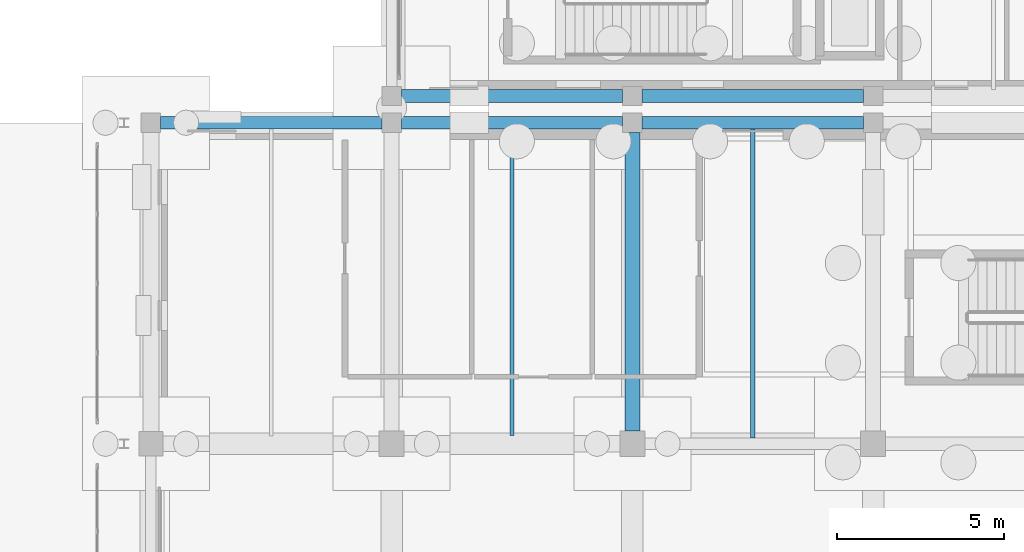
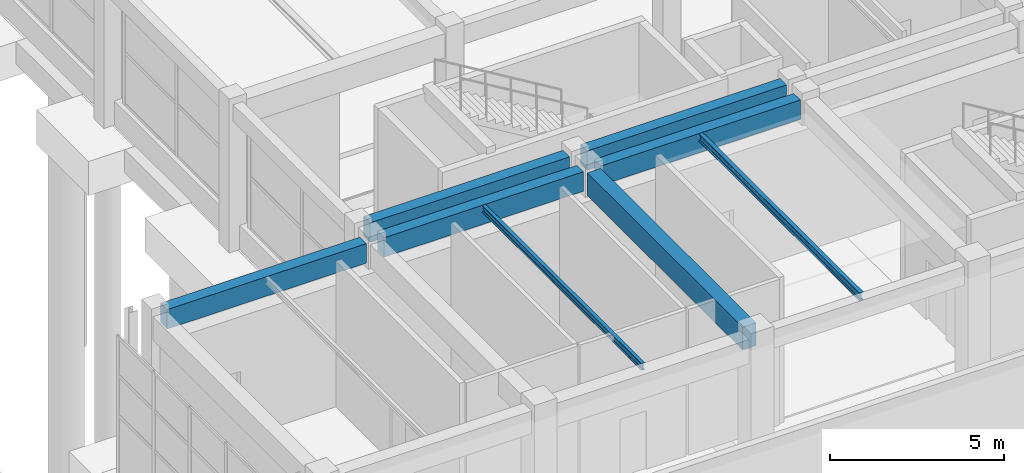
# One storey, part 47 of 91: 8 beams.
"""IFC4 building model written with IfcOpenShell, lengths in metres."""

from ifc_helpers import new_model, si_unit, direction, frame, origin, origin_2d, place, context, subcontext, project, spatial, rectangle, i_section, extrude, material, material_profile, profile_set, type_object, element, save


model = new_model("IFC4")

# Units and contexts
model_context = context("Model", 3, precision=1e-05, world=origin(), true_north=direction((0.0, 1.0)))
body_context = subcontext(model_context, "Body", "Model", "MODEL_VIEW")
ifc_project = project(units=[si_unit("LENGTHUNIT", "METRE"), si_unit("AREAUNIT", "SQUARE_METRE"), si_unit("VOLUMEUNIT", "CUBIC_METRE"), si_unit("PLANEANGLEUNIT", "RADIAN"), si_unit("MASSUNIT", "GRAM", prefix="KILO")], contexts=[model_context])

# Site, building, storey
site_placement = place(None, origin())
site = spatial("IfcSite", under=ifc_project, at=site_placement, CompositionType="ELEMENT")
building_placement = place(site_placement, origin())
building = spatial("IfcBuilding", under=site, at=building_placement, Name="Bramveld Media Centre", CompositionType="ELEMENT")
storey_placement = place(building_placement, origin())
storey = spatial("IfcBuildingStorey", under=building, at=storey_placement, Name="L00", CompositionType="ELEMENT", Elevation=0.0)

# Beams
ifc_material_1 = material(Name="Concrete C40/50", Category="concrete")
ifc_material_profile_1 = material_profile(ifc_material_1, rectangle(XDim=0.449951171875, YDim=0.800048828125, at=origin_2d()), Name="RC 450x800")
ifc_profile_set_1 = profile_set([ifc_material_profile_1], Name="Concrete C40/50")
beam_type_1 = type_object("IfcBeamType", Name="BM-INT-RC-450x800", PredefinedType="BEAM", material=ifc_profile_set_1)
beam_1_placement = place(storey_placement, frame((138.39990234375, 29.175048828125, 4.719970703125), z_axis=(0.0, 1.0, 0.0), x_axis=(-1.0, 0.0, 0.0)))
element("IfcBeam", 1, at=beam_1_placement, inside=storey, type_object=beam_type_1, Name="V1 L00 girder Y-23", PredefinedType="BEAM", context=body_context, shape_type="SweptSolid", body=[
    extrude(rectangle(XDim=0.449951171875, YDim=0.800048828125, at=origin_2d()), origin(), (0.0, 0.0, 1.0), 8.93505859375),
])
ifc_material_2 = material(Name="Steel S355J2", Category="steel")
ifc_material_profile_2 = material_profile(ifc_material_2, i_section(OverallWidth=0.1201171875, OverallDepth=0.239990234375, WebThickness=0.006103515625, FlangeThickness=0.009765625, FilletRadius=0.014892578125, at=origin_2d()), Name="IPE 240")
ifc_profile_set_2 = profile_set([ifc_material_profile_2], Name="Steel S355J2")
beam_type_2 = type_object("IfcBeamType", Name="SBM-INT-IPE-240", PredefinedType="JOIST", material=ifc_profile_set_2)
beam_2_placement = place(storey_placement, frame((134.800048828125, 29.050048828125, 5.0), z_axis=(0.0, 1.0, 0.0), x_axis=(-1.0, 0.0, 0.0)))
element("IfcBeam", 2, at=beam_2_placement, inside=storey, type_object=beam_type_2, Name="V1 L00 secondary floor joist 38", PredefinedType="JOIST", context=body_context, shape_type="SweptSolid", body=[
    extrude(i_section(OverallWidth=0.1201171875, OverallDepth=0.239990234375, WebThickness=0.006103515625, FlangeThickness=0.009765625, FilletRadius=0.014892578125, at=origin_2d()), origin(), (0.0, 0.0, 1.0), 9.159912109375),
])
ifc_material_3 = material(Name="Steel S355J2", Category="steel")
ifc_material_profile_3 = material_profile(ifc_material_3, i_section(OverallWidth=0.135009765625, OverallDepth=0.27001953125, WebThickness=0.006591796875, FlangeThickness=0.01025390625, FilletRadius=0.014892578125, at=origin_2d()), Name="IPE 270")
ifc_profile_set_3 = profile_set([ifc_material_profile_3], Name="Steel S355J2")
beam_type_3 = type_object("IfcBeamType", Name="SBM-INT-IPE-270", PredefinedType="JOIST", material=ifc_profile_set_3)
beam_3_placement = place(storey_placement, frame((142.0, 28.97509765625, 4.985107421875), z_axis=(0.0, 1.0, 0.0), x_axis=(-1.0, 0.0, 0.0)))
element("IfcBeam", 3, at=beam_3_placement, inside=storey, type_object=beam_type_3, Name="V1 L00 secondary floor joist 39", PredefinedType="JOIST", context=body_context, shape_type="SweptSolid", body=[
    extrude(i_section(OverallWidth=0.135009765625, OverallDepth=0.27001953125, WebThickness=0.006591796875, FlangeThickness=0.01025390625, FilletRadius=0.014892578125, at=origin_2d()), origin(), (0.0, 0.0, 1.0), 9.23486328125),
])
ifc_material_4 = material(Name="Concrete C40/50", Category="concrete")
ifc_material_profile_4 = material_profile(ifc_material_4, rectangle(XDim=0.3798828125, YDim=0.679931640625, at=origin_2d()), Name="RC 380x680")
ifc_profile_set_4 = profile_set([ifc_material_profile_4], Name="Concrete C40/50")
beam_type_4 = type_object("IfcBeamType", Name="SPANDREL-EXT-RC-380x680", PredefinedType="SPANDREL", material=ifc_profile_set_4)
beam_4_placement = place(storey_placement, frame((124.2900390625, 38.39990234375, 4.780029296875), z_axis=(1.0, 0.0, 0.0), x_axis=(0.0, 1.0, 0.0)))
element("IfcBeam", 4, at=beam_4_placement, inside=storey, type_object=beam_type_4, Name="V1 L00 girder X-9", PredefinedType="SPANDREL", context=body_context, shape_type="SweptSolid", body=[
    extrude(rectangle(XDim=0.3798828125, YDim=0.679931640625, at=origin_2d()), origin(), (0.0, 0.0, 1.0), 6.619873046875),
])
for number, where, z_axis, x_axis, name in (
    (5, (131.489990234375, 38.39990234375, 4.780029296875), (1.0, 0.0, 0.0), (0.0, 1.0, 0.0), "V1 L00 girder X-10"),
    (6, (138.68994140625, 38.39990234375, 4.780029296875), (1.0, 0.0, 0.0), (0.0, 1.0, 0.0), "V1 L00 girder X-11"),
    (7, (131.489990234375, 39.199951171875, 4.820068359375), (1.0, 0.0, 0.0), (0.0, 1.0, 0.0), "V4 L00 girder X-452"),
    (8, (138.68994140625, 39.199951171875, 4.820068359375), (1.0, 0.0, 0.0), (0.0, 1.0, 0.0), "V4 L00 girder X-453"),
):
    element("IfcBeam", number, at=place(storey_placement, frame(where, z_axis=z_axis, x_axis=x_axis)), inside=storey, type_object=beam_type_4, Name=name, PredefinedType="SPANDREL", context=body_context, shape_type="SweptSolid", body=[
        extrude(rectangle(XDim=0.3798828125, YDim=0.679931640625, at=origin_2d()), origin(), (0.0, 0.0, 1.0), 6.6201171875),
    ])

save(model, "model.ifc")
